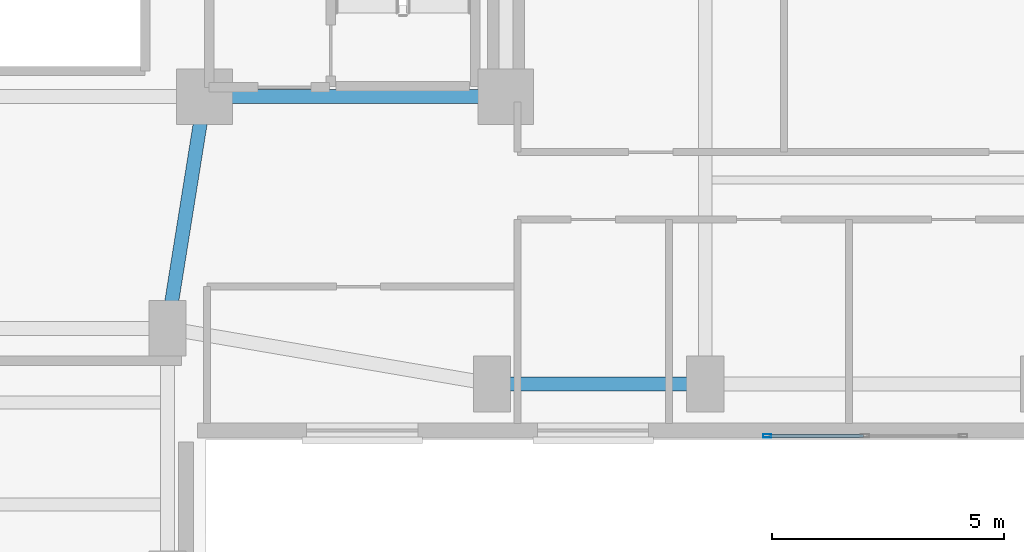
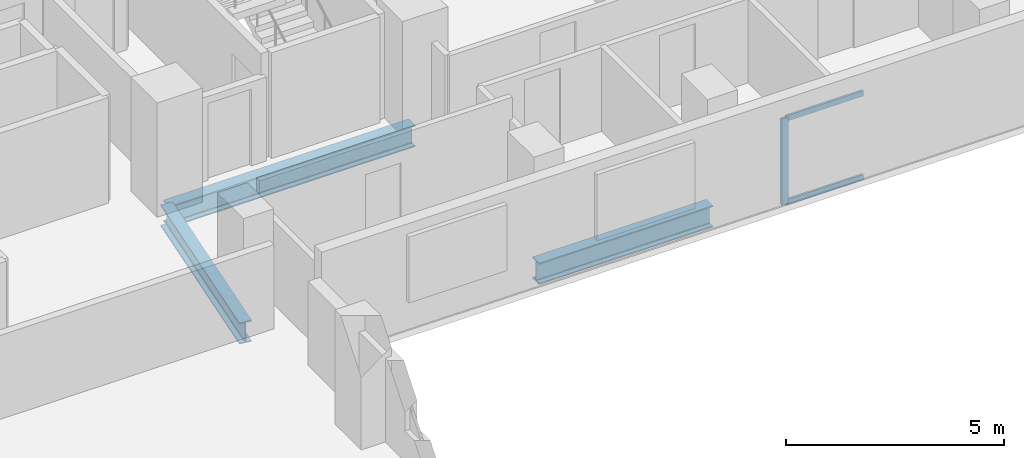
# One storey, part 4 of 15: 3 beams, 3 members, 1 element without a shape of its own.
"""IFC4 building model written with IfcOpenShell, lengths in metres."""

from ifc_helpers import new_model, si_unit, direction, frame, origin, origin_2d, place, context, subcontext, project, spatial, hollow_rectangle, i_section, extrude, material, material_profile, profile_set, type_object, element, aggregate, save


model = new_model("IFC4")

# Units and contexts
model_context = context("Model", 3, precision=1e-05, world=origin(), true_north=direction((0.0, 1.0)))
body_context = subcontext(model_context, "Body", "Model", "MODEL_VIEW")
ifc_project = project(units=[si_unit("LENGTHUNIT", "METRE"), si_unit("AREAUNIT", "SQUARE_METRE"), si_unit("VOLUMEUNIT", "CUBIC_METRE"), si_unit("PLANEANGLEUNIT", "RADIAN"), si_unit("MASSUNIT", "GRAM", prefix="KILO")], contexts=[model_context])

# Site, building, storey
site_placement = place(None, origin())
site = spatial("IfcSite", under=ifc_project, at=site_placement, CompositionType="ELEMENT")
building_placement = place(site_placement, origin())
building = spatial("IfcBuilding", under=site, at=building_placement, Name="Kuzgunbayir Cultural Tower", CompositionType="ELEMENT")
storey_placement = place(building_placement, frame((0.0, 0.0, 72.39990234375)))
storey = spatial("IfcBuildingStorey", under=building, at=storey_placement, Name="L20", CompositionType="ELEMENT", Elevation=72.39990234375)

# Beams
ifc_material_1 = material(Name="Steel S355J2", Category="steel")
ifc_material_profile_1 = material_profile(ifc_material_1, i_section(OverallWidth=0.300048828125, OverallDepth=0.60009765625, WebThickness=0.015380859375, FlangeThickness=0.030029296875, FilletRadius=0.027099609375, at=origin_2d()), Name="HEB 600")
ifc_profile_set_1 = profile_set([ifc_material_profile_1], Name="Steel S355J2")
beam_type_1 = type_object("IfcBeamType", Name="BM-EXT-HEB600", PredefinedType="BEAM", material=ifc_profile_set_1)
beam_1_placement = place(storey_placement, frame((26.60009765625, 27.60009765625, -0.47998046875), z_axis=(1.0, 0.0, 0.0), x_axis=(0.0, 1.0, 0.0)))
element("IfcBeam", 1, at=beam_1_placement, inside=storey, type_object=beam_type_1, Name="L20 Wing B South Girder 1", PredefinedType="BEAM", context=body_context, shape_type="SweptSolid", body=[
    extrude(i_section(OverallWidth=0.300048828125, OverallDepth=0.60009765625, WebThickness=0.015380859375, FlangeThickness=0.030029296875, FilletRadius=0.027099609375, at=origin_2d()), origin(), (0.0, 0.0, 1.0), 4.599853515625),
])
ifc_material_profile_2 = material_profile(ifc_material_1, i_section(OverallWidth=0.300048828125, OverallDepth=0.60009765625, WebThickness=0.015380859375, FlangeThickness=0.030029296875, FilletRadius=0.027099609375, at=origin_2d()), Name="HEB 600")
ifc_profile_set_2 = profile_set([ifc_material_profile_2], Name="Steel S355J2")
beam_type_2 = type_object("IfcBeamType", Name="BM-GIR-HEB600", PredefinedType="BEAM", material=ifc_profile_set_2)
beam_2_placement = place(storey_placement, frame((20.39990234375, 33.800048828125, -0.47998046875), z_axis=(1.0, 0.0, 0.0), x_axis=(0.0, 1.0, 0.0)))
element("IfcBeam", 2, at=beam_2_placement, inside=storey, type_object=beam_type_2, Name="L20 Core South Girder 3", PredefinedType="BEAM", context=body_context, shape_type="SweptSolid", body=[
    extrude(i_section(OverallWidth=0.300048828125, OverallDepth=0.60009765625, WebThickness=0.015380859375, FlangeThickness=0.030029296875, FilletRadius=0.027099609375, at=origin_2d()), origin(), (0.0, 0.0, 1.0), 6.5),
])
beam_3_placement = place(storey_placement, frame((19.60009765625, 28.800048828125, -0.47998046875), z_axis=(0.157952891656, 0.987446648694, 0.0), x_axis=(-0.987446648694, 0.157952891656, 0.0)))
element("IfcBeam", 3, at=beam_3_placement, inside=storey, type_object=beam_type_2, Name="L20 Wing A East Core Floor Girder", PredefinedType="BEAM", context=body_context, shape_type="SweptSolid", body=[
    extrude(i_section(OverallWidth=0.300048828125, OverallDepth=0.60009765625, WebThickness=0.015380859375, FlangeThickness=0.030029296875, FilletRadius=0.027099609375, at=origin_2d()), origin(), (0.0, 0.0, 1.0), 5.0634765625),
])

# Curtain wall, members
ifc_material_2 = material(Name="Anodised Aluminium Framing", Category="aluminium")
curtain_wall_type = type_object("IfcCurtainWallType", Name="CW03-T1-OFFICE", PredefinedType="NOTDEFINED", material=ifc_material_2)
curtain_wall_placement = place(storey_placement, origin())
curtain_wall = element("IfcCurtainWall", 4, at=curtain_wall_placement, inside=storey, type_object=curtain_wall_type, Name="L20 Wing B South Feature Curtain Wall", PredefinedType="NOTDEFINED")
ifc_material_profile_3 = material_profile(ifc_material_2, hollow_rectangle(XDim=0.074951171875, YDim=0.179931640625, WallThickness=0.0048828125, at=origin_2d()), Name="RHS 180x75x5")
ifc_profile_set_3 = profile_set([ifc_material_profile_3], Name="Anodised Aluminium Framing")
member_type_1 = type_object("IfcMemberType", Name="MEM-CW-MULLION-180", PredefinedType="MULLION", material=ifc_profile_set_3)
member_1_placement = place(storey_placement, frame((32.53759765625, 26.47998046875, 0.0), z_axis=(0.0, 0.0, 1.0), x_axis=(0.0, 1.0, 0.0)))
member_1 = element("IfcMember", 5, at=member_1_placement, type_object=member_type_1, Name="CW03 mullion 1", PredefinedType="MULLION", context=body_context, shape_type="SweptSolid", body=[
    extrude(hollow_rectangle(XDim=0.074951171875, YDim=0.179931640625, WallThickness=0.0048828125, at=origin_2d()), origin(), (0.0, 0.0, 1.0), 2.41015625),
])
ifc_material_profile_4 = material_profile(ifc_material_2, hollow_rectangle(XDim=0.06005859375, YDim=0.14990234375, WallThickness=0.00390625, at=origin_2d()), Name="RHS 150x60x4")
ifc_profile_set_4 = profile_set([ifc_material_profile_4], Name="Anodised Aluminium Framing")
member_type_2 = type_object("IfcMemberType", Name="MEM-CW-TRANSOM-150", PredefinedType="USERDEFINED", material=ifc_profile_set_4)
member_2_placement = place(storey_placement, frame((32.574951171875, 26.47998046875, 0.030029296875), z_axis=(1.0, 0.0, 0.0), x_axis=(0.0, 1.0, 0.0)))
member_2 = element("IfcMember", 6, at=member_2_placement, type_object=member_type_2, Name="CW03 transom 1.1", ObjectType="TRANSOM", PredefinedType="USERDEFINED", context=body_context, shape_type="SweptSolid", body=[
    extrude(hollow_rectangle(XDim=0.06005859375, YDim=0.14990234375, WallThickness=0.00390625, at=origin_2d()), origin(), (0.0, 0.0, 1.0), 2.03759765625),
])
member_3_placement = place(storey_placement, frame((32.574951171875, 26.47998046875, 2.380126953125), z_axis=(1.0, 0.0, 0.0), x_axis=(0.0, 1.0, 0.0)))
member_3 = element("IfcMember", 7, at=member_3_placement, type_object=member_type_2, Name="CW03 transom 1.2", ObjectType="TRANSOM", PredefinedType="USERDEFINED", context=body_context, shape_type="SweptSolid", body=[
    extrude(hollow_rectangle(XDim=0.06005859375, YDim=0.14990234375, WallThickness=0.00390625, at=origin_2d()), origin(), (0.0, 0.0, 1.0), 2.03759765625),
])
aggregate(curtain_wall, [member_1, member_2, member_3])

save(model, "model.ifc")
